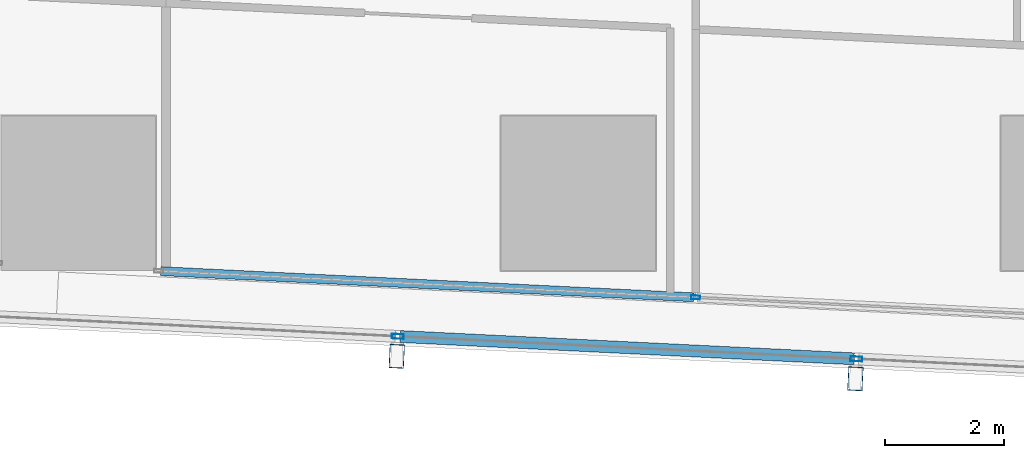
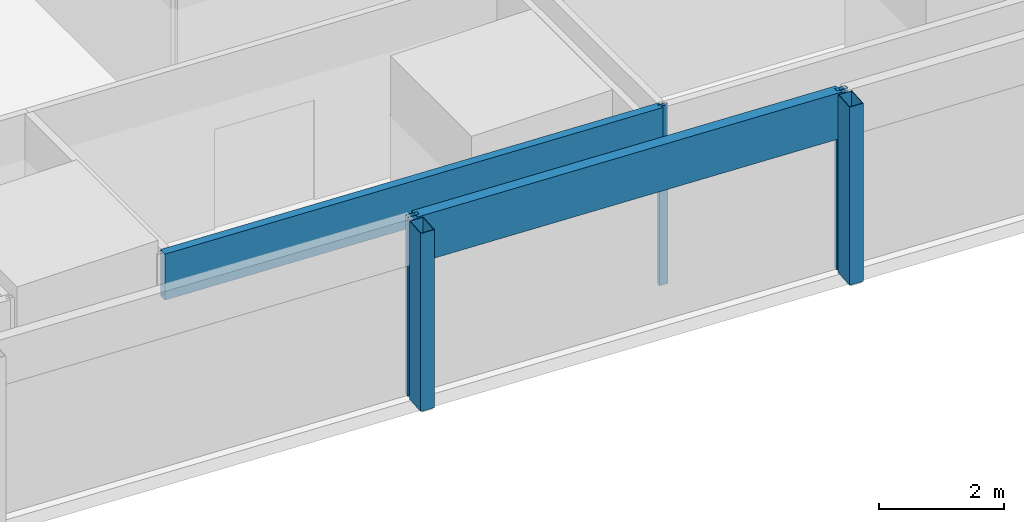
# One storey, part 5 of 46: 7 members, 2 elements without a shape of their own.
"""IFC4 building model written with IfcOpenShell, lengths in metres."""

from ifc_helpers import new_model, si_unit, direction, frame, origin, origin_2d, place, context, subcontext, project, spatial, hollow_rectangle, extrude, material, material_profile, profile_set, type_object, element, aggregate, save


model = new_model("IFC4")

# Units and contexts
model_context = context("Model", 3, precision=1e-05, world=origin(), true_north=direction((0.0, 1.0)))
body_context = subcontext(model_context, "Body", "Model", "MODEL_VIEW")
ifc_project = project(units=[si_unit("LENGTHUNIT", "METRE"), si_unit("AREAUNIT", "SQUARE_METRE"), si_unit("VOLUMEUNIT", "CUBIC_METRE"), si_unit("PLANEANGLEUNIT", "RADIAN"), si_unit("MASSUNIT", "GRAM", prefix="KILO")], contexts=[model_context])

# Site, building, storey
site_placement = place(None, origin())
site = spatial("IfcSite", under=ifc_project, at=site_placement, CompositionType="ELEMENT")
building_placement = place(site_placement, origin())
building = spatial("IfcBuilding", under=site, at=building_placement, Name="Rekha Terrace Tower", CompositionType="ELEMENT")
storey_placement = place(building_placement, frame((0.0, 0.0, 29.14990234375)))
storey = spatial("IfcBuildingStorey", under=building, at=storey_placement, Name="L06", CompositionType="ELEMENT", Elevation=29.14990234375)

# Curtain wall, members
ifc_material_1 = material(Name="Aluminium framing", Category="aluminium")
curtain_wall_type_1 = type_object("IfcCurtainWallType", Name="CW2 double skin outer glazing", PredefinedType="USERDEFINED", material=ifc_material_1)
curtain_wall_1_placement = place(storey_placement, origin())
curtain_wall_1 = element("IfcCurtainWall", 1, at=curtain_wall_1_placement, inside=storey, type_object=curtain_wall_type_1, Name="CW2 double skin outer glazing", ObjectType="DOUBLE SKIN OUTER GLAZING", PredefinedType="USERDEFINED")
ifc_material_2 = material(Name="Steel S355 with fluorocarbon finish", Category="steel")
ifc_material_profile_1 = material_profile(ifc_material_2, hollow_rectangle(XDim=0.25, YDim=0.39990234375, WallThickness=0.012451171875, at=origin_2d()), Name="RHS400x250x12.5")
ifc_profile_set_1 = profile_set([ifc_material_profile_1], Name="Steel S355 with fluorocarbon finish")
member_type_1 = type_object("IfcMemberType", Name="BL1 facade blade RHS 400 x 250", PredefinedType="USERDEFINED", material=ifc_profile_set_1)
member_1_placement = place(storey_placement, frame((22.14990234375, 5.6611328125, 0.02001953125), z_axis=(0.0, 0.0, 1.0), x_axis=(0.998796226835, -0.049051985279, 0.0)))
member_1 = element("IfcMember", 2, at=member_1_placement, type_object=member_type_1, Name="Facade blade", ObjectType="FACADE BLADE", PredefinedType="USERDEFINED", context=body_context, shape_type="SweptSolid", body=[
    extrude(hollow_rectangle(XDim=0.25, YDim=0.39990234375, WallThickness=0.012451171875, at=origin_2d()), origin(), (0.0, 0.0, 1.0), 3.47998046875),
])
member_2_placement = place(storey_placement, frame((29.856201171875, 5.28271484375, 0.02001953125), z_axis=(0.0, 0.0, 1.0), x_axis=(0.998796226835, -0.049051985279, 0.0)))
member_2 = element("IfcMember", 3, at=member_2_placement, type_object=member_type_1, Name="Facade blade", ObjectType="FACADE BLADE", PredefinedType="USERDEFINED", context=body_context, shape_type="SweptSolid", body=[
    extrude(hollow_rectangle(XDim=0.25, YDim=0.39990234375, WallThickness=0.012451171875, at=origin_2d()), origin(), (0.0, 0.0, 1.0), 3.47998046875),
])

curtain_wall_type_2 = type_object("IfcCurtainWallType", Name="CW1 double skin inner glazing", PredefinedType="USERDEFINED", material=ifc_material_1)
curtain_wall_2_placement = place(storey_placement, origin())
curtain_wall_2 = element("IfcCurtainWall", 4, at=curtain_wall_2_placement, inside=storey, type_object=curtain_wall_type_2, Name="CW1 double skin inner glazing", ObjectType="DOUBLE SKIN INNER GLAZING", PredefinedType="USERDEFINED")
ifc_material_3 = material(Name="Aluminium mullion section", Category="aluminium")
ifc_material_profile_2 = material_profile(ifc_material_3, hollow_rectangle(XDim=0.06494140625, YDim=0.14990234375, WallThickness=0.00390625, at=origin_2d()), Name="AL RHS 65x150")
ifc_profile_set_2 = profile_set([ifc_material_profile_2], Name="Aluminium mullion section")
member_type_2 = type_object("IfcMemberType", Name="CW1 mullion RHS 65 x 150", PredefinedType="MULLION", material=ifc_profile_set_2)
member_3_placement = place(storey_placement, frame((27.17041015625, 6.651123046875, 0.0), z_axis=(0.0, 0.0, 1.0), x_axis=(0.049051717746, 0.998796239974, 0.0)))
member_3 = element("IfcMember", 5, at=member_3_placement, type_object=member_type_2, Name="CW1 mullion 2", PredefinedType="MULLION", context=body_context, shape_type="SweptSolid", body=[
    extrude(hollow_rectangle(XDim=0.06494140625, YDim=0.14990234375, WallThickness=0.00390625, at=origin_2d()), origin(), (0.0, 0.0, 1.0), 3.5),
])
ifc_material_4 = material(Name="Insulated aluminium spandrel box", Category="aluminium")
ifc_material_profile_3 = material_profile(ifc_material_4, hollow_rectangle(XDim=0.14990234375, YDim=0.89990234375, WallThickness=0.0029296875, at=origin_2d()), Name="AL SPANDREL BOX 150x900")
ifc_profile_set_3 = profile_set([ifc_material_profile_3], Name="Insulated aluminium spandrel box")
member_type_3 = type_object("IfcMemberType", Name="CW1 spandrel transom 150 x 900", PredefinedType="USERDEFINED", material=ifc_profile_set_3)
member_4_placement = place(storey_placement, frame((18.184814453125, 7.09228515625, 3.050048828125), z_axis=(0.998796230041, -0.049051920002, 0.0), x_axis=(0.049051920002, 0.998796230041, 0.0)))
member_4 = element("IfcMember", 6, at=member_4_placement, type_object=member_type_3, Name="CW1 spandrel transom 1", ObjectType="TRANSOM", PredefinedType="USERDEFINED", context=body_context, shape_type="SweptSolid", body=[
    extrude(hollow_rectangle(XDim=0.14990234375, YDim=0.89990234375, WallThickness=0.0029296875, at=origin_2d()), origin(), (0.0, 0.0, 1.0), 8.9638671875),
])
aggregate(curtain_wall_2, [member_3, member_4])

# Member
ifc_material_profile_4 = material_profile(ifc_material_3, hollow_rectangle(XDim=0.080078125, YDim=0.199951171875, WallThickness=0.00390625, at=origin_2d()), Name="AL RHS 80x200")
ifc_profile_set_4 = profile_set([ifc_material_profile_4], Name="Aluminium mullion section")
member_type_4 = type_object("IfcMemberType", Name="CW2 mullion RHS 80 x 200", PredefinedType="MULLION", material=ifc_profile_set_4)
member_5_placement = place(storey_placement, frame((22.166259765625, 5.99560546875, 0.0), z_axis=(0.0, 0.0, 1.0), x_axis=(0.049051717746, 0.998796239974, 0.0)))
member_5 = element("IfcMember", 7, at=member_5_placement, type_object=member_type_4, Name="CW2 mullion 3", PredefinedType="MULLION", context=body_context, shape_type="SweptSolid", body=[
    extrude(hollow_rectangle(XDim=0.080078125, YDim=0.199951171875, WallThickness=0.00390625, at=origin_2d()), origin(), (0.0, 0.0, 1.0), 3.5),
])

member_6_placement = place(storey_placement, frame((29.872802734375, 5.6171875, 0.0), z_axis=(0.0, 0.0, 1.0), x_axis=(0.049051717746, 0.998796239974, 0.0)))
member_6 = element("IfcMember", 8, at=member_6_placement, type_object=member_type_4, Name="CW2 mullion 4", PredefinedType="MULLION", context=body_context, shape_type="SweptSolid", body=[
    extrude(hollow_rectangle(XDim=0.080078125, YDim=0.199951171875, WallThickness=0.00390625, at=origin_2d()), origin(), (0.0, 0.0, 1.0), 3.5),
])

ifc_material_profile_5 = material_profile(ifc_material_4, hollow_rectangle(XDim=0.199951171875, YDim=0.89990234375, WallThickness=0.0029296875, at=origin_2d()), Name="AL SPANDREL BOX 200x900")
ifc_profile_set_5 = profile_set([ifc_material_profile_5], Name="Insulated aluminium spandrel box")
member_type_5 = type_object("IfcMemberType", Name="CW2 spandrel transom 200 x 900", PredefinedType="USERDEFINED", material=ifc_profile_set_5)
member_7_placement = place(storey_placement, frame((22.206298828125, 5.99365234375, 3.050048828125), z_axis=(0.998796434643, -0.049047753721, 0.0), x_axis=(0.049047753721, 0.998796434643, 0.0)))
member_7 = element("IfcMember", 9, at=member_7_placement, type_object=member_type_5, Name="CW2 spandrel transom 3", ObjectType="TRANSOM", PredefinedType="USERDEFINED", context=body_context, shape_type="SweptSolid", body=[
    extrude(hollow_rectangle(XDim=0.199951171875, YDim=0.89990234375, WallThickness=0.0029296875, at=origin_2d()), origin(), (0.0, 0.0, 1.0), 7.6357421875),
])

aggregate(curtain_wall_1, [member_5, member_6, member_7, member_1, member_2])

save(model, "model.ifc")
